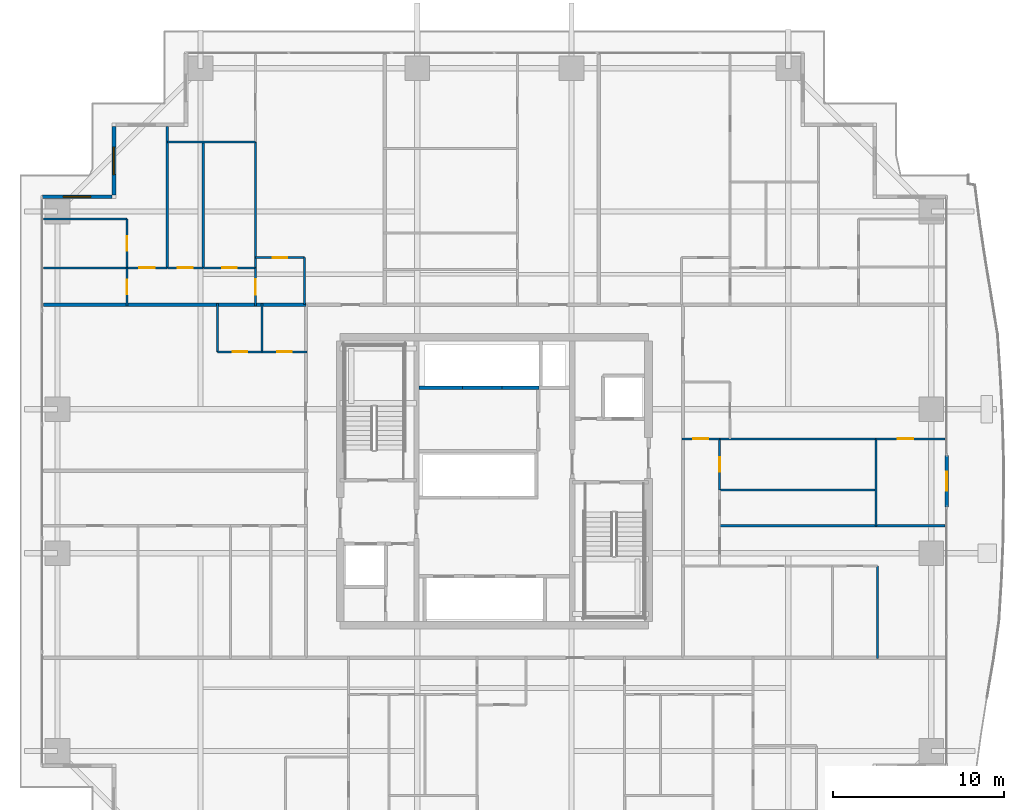
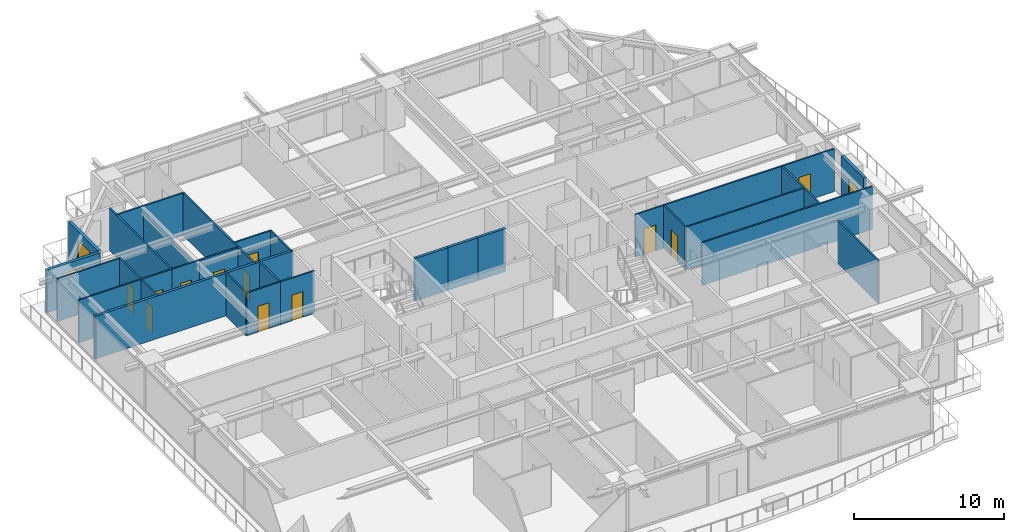
# One storey, part 30 of 39: 33 walls, 13 doors, 2 windows, 15 openings.
"""IFC4 building model written with IfcOpenShell, lengths in metres."""

from ifc_helpers import new_model, si_unit, direction, frame, frame_2d, origin, place, context, subcontext, project, spatial, rectangle, extrude, source, transform, mapped, material, layer, layer_set, type_object, element, fill, save


model = new_model("IFC4")

# Units and contexts
model_context = context("Model", 3, precision=1e-05, world=origin(), true_north=direction((0.0, 1.0)))
body_context = subcontext(model_context, "Body", "Model", "MODEL_VIEW")
ifc_project = project(units=[si_unit("LENGTHUNIT", "METRE"), si_unit("AREAUNIT", "SQUARE_METRE"), si_unit("VOLUMEUNIT", "CUBIC_METRE"), si_unit("PLANEANGLEUNIT", "RADIAN"), si_unit("MASSUNIT", "GRAM", prefix="KILO")], contexts=[model_context])

# Site, building, storey
site_placement = place(None, origin())
site = spatial("IfcSite", under=ifc_project, at=site_placement, CompositionType="ELEMENT")
building_placement = place(site_placement, origin())
building = spatial("IfcBuilding", under=site, at=building_placement, Name="Serunith Strait Residences", CompositionType="ELEMENT")
storey_placement = place(building_placement, frame((0.0, 0.0, 49.199951171875)))
storey = spatial("IfcBuildingStorey", under=building, at=storey_placement, Name="L11", CompositionType="ELEMENT", Elevation=49.199951171875)

# Wall, opening, door
ifc_material_1 = material(Name="Pale-Champagne Aluminium Insulated Panel", Category="aluminium")
ifc_layer_1 = layer(ifc_material_1, 0.219970703125, Name="Pale-Champagne Aluminium Insulated Panel")
ifc_layer_set_1 = layer_set([ifc_layer_1], Name="Pale-Champagne Aluminium Insulated Panel")
wall_type_1 = type_object("IfcWallType", Name="EW-ALUM-220", PredefinedType="ELEMENTEDWALL", material=ifc_layer_set_1)
wall_1_placement = place(storey_placement, frame((58.800048828125, 23.699951171875, 0.0), z_axis=(0.0, 0.0, 1.0), x_axis=(0.0, 1.0, 0.0)))
wall_1 = element("IfcWall", 1, at=wall_1_placement, inside=storey, type_object=wall_type_1, Name="L11 E Facade Pier Wall", PredefinedType="ELEMENTEDWALL", context=body_context, shape_type="SweptSolid", body=[
    extrude(rectangle(XDim=3.0, YDim=0.219970703125, at=frame_2d((1.5, 0.0))), origin(), (0.0, 0.0, 1.0), 3.47509765625),
])
opening_1_placement = place(wall_1_placement, frame((0.949951171875, 0.0, 0.0)))
opening_1 = element("IfcOpeningElement", 2, at=opening_1_placement, cuts=wall_1, Name="Opening ED-03", PredefinedType="OPENING", context=body_context, shape_type="SweptSolid", body=[
    extrude(rectangle(XDim=1.10009765625, YDim=2.199951171875, at=frame_2d((0.550048828125, 1.10009765625))), frame((0.0, 0.1201171875, 0.0), z_axis=(0.0, -1.0, 0.0), x_axis=(1.0, 0.0, 0.0)), (0.0, 0.0, 1.0), 0.239990234375),
])
ifc_material_2 = material(Name="Thermally-Broken Aluminium Glazed Balcony Door", Category="aluminium")
door_type_1 = type_object("IfcDoorType", Name="ED-BALC-1100", OperationType="NOTDEFINED", PredefinedType="DOOR", material=ifc_material_2)
shared_shape_1 = source(origin(), body_context, "Body", "SweptSolid", [
    extrude(rectangle(XDim=1.10009765625, YDim=2.199951171875, at=frame_2d((0.550048828125, 1.10009765625))), frame((0.0, 0.02490234375, 0.0), z_axis=(0.0, -1.0, 0.0), x_axis=(1.0, 0.0, 0.0)), (0.0, 0.0, 1.0), 0.050048828125),
])
door_1_placement = place(opening_1_placement, origin())
door_1 = element("IfcDoor", 3, at=door_1_placement, inside=storey, type_object=door_type_1, Name="L11 E Vertical-Forest Balcony Door", OperationType="SINGLE_SWING_RIGHT", OverallHeight=2.199951171875, OverallWidth=1.10009765625, PredefinedType="DOOR", context=body_context, shape_type="MappedRepresentation", body=[
    mapped(shared_shape_1, transform((0.0, 0.0, 0.0), scale=1.0)),
])
fill(opening_1, door_1)

# Wall, opening, window
wall_2_placement = place(storey_placement, frame((10.199951171875, 45.889892578125, 0.0), z_axis=(0.0, 0.0, 1.0), x_axis=(0.0, -1.0, 0.0)))
wall_2 = element("IfcWall", 4, at=wall_2_placement, inside=storey, type_object=wall_type_1, Name="L11 Girih Serrated Corner Wall 14", PredefinedType="ELEMENTEDWALL", context=body_context, shape_type="SweptSolid", body=[
    extrude(rectangle(XDim=3.97998046875, YDim=0.219970703125, at=frame_2d((1.989990234375, 0.0))), origin(), (0.0, 0.0, 1.0), 3.47509765625),
])
opening_2_placement = place(wall_2_placement, frame((1.18994140625, 0.0, 0.64990234375)))
opening_2 = element("IfcOpeningElement", 5, at=opening_2_placement, cuts=wall_2, Name="Opening W-02", PredefinedType="OPENING", context=body_context, shape_type="SweptSolid", body=[
    extrude(rectangle(XDim=1.60009765625, YDim=2.10009765625, at=frame_2d((0.800048828125, 1.050048828125))), frame((0.0, 0.1201171875, 0.0), z_axis=(0.0, -1.0, 0.0), x_axis=(1.0, 0.0, 0.0)), (0.0, 0.0, 1.0), 0.239990234375),
])
ifc_material_3 = material(Name="Ceramic-Fritted Operable Aluminium Window Glass", Category="aluminium")
window_type = type_object("IfcWindowType", Name="WIN-C2", PartitioningType="DOUBLE_PANEL_VERTICAL", PredefinedType="WINDOW", material=ifc_material_3)
shared_shape_2 = source(origin(), body_context, "Body", "SweptSolid", [
    extrude(rectangle(XDim=1.60009765625, YDim=2.10009765625, at=frame_2d((0.800048828125, 1.050048828125))), frame((0.0, 0.030029296875, 0.0), z_axis=(0.0, -1.0, 0.0), x_axis=(1.0, 0.0, 0.0)), (0.0, 0.0, 1.0), 0.06005859375),
])
window_1_placement = place(opening_2_placement, origin())
window_1 = element("IfcWindow", 6, at=window_1_placement, inside=storey, type_object=window_type, Name="L11 Corner Operable Fritted Window 14", OverallHeight=2.10009765625, OverallWidth=1.60009765625, PartitioningType="SINGLE_PANEL", PredefinedType="WINDOW", context=body_context, shape_type="MappedRepresentation", body=[
    mapped(shared_shape_2, transform((0.0, 0.0, 0.0), scale=1.0)),
])
fill(opening_2, window_1)

wall_3_placement = place(storey_placement, frame((10.090087890625, 41.800048828125, 0.0), z_axis=(0.0, 0.0, 1.0), x_axis=(-1.0, 0.0, 0.0)))
wall_3 = element("IfcWall", 7, at=wall_3_placement, inside=storey, type_object=wall_type_1, Name="L11 Girih Serrated Corner Wall 15", PredefinedType="ELEMENTEDWALL", context=body_context, shape_type="SweptSolid", body=[
    extrude(rectangle(XDim=4.090087890625, YDim=0.219970703125, at=frame_2d((2.044921875, 0.0))), origin(), (0.0, 0.0, 1.0), 3.47509765625),
])
opening_3_placement = place(wall_3_placement, frame((1.2451171875, 0.0, 0.64990234375)))
opening_3 = element("IfcOpeningElement", 8, at=opening_3_placement, cuts=wall_3, Name="Opening W-02", PredefinedType="OPENING", context=body_context, shape_type="SweptSolid", body=[
    extrude(rectangle(XDim=1.60009765625, YDim=2.10009765625, at=frame_2d((0.800048828125, 1.050048828125))), frame((0.0, 0.1201171875, 0.0), z_axis=(0.0, -1.0, 0.0), x_axis=(1.0, 0.0, 0.0)), (0.0, 0.0, 1.0), 0.239990234375),
])
window_2_placement = place(opening_3_placement, origin())
window_2 = element("IfcWindow", 9, at=window_2_placement, inside=storey, type_object=window_type, Name="L11 Corner Operable Fritted Window 15", OverallHeight=2.10009765625, OverallWidth=1.60009765625, PartitioningType="SINGLE_PANEL", PredefinedType="WINDOW", context=body_context, shape_type="MappedRepresentation", body=[
    mapped(shared_shape_2, transform((0.0, 0.0, 0.0), scale=1.0)),
])
fill(opening_3, window_2)

# Wall, opening, door
ifc_material_4 = material(Name="Lightweight steel-stud gypsum partition", Category="steel")
ifc_layer_2 = layer(ifc_material_4, 0.1201171875, Name="Lightweight steel-stud gypsum partition")
ifc_layer_set_2 = layer_set([ifc_layer_2], Name="Lightweight steel-stud gypsum partition")
wall_type_2 = type_object("IfcWallType", Name="IW-PART-120", PredefinedType="PARTITIONING", material=ifc_layer_set_2)
wall_4_placement = place(storey_placement, frame((18.4599609375, 38.25, 0.0), z_axis=(0.0, 0.0, 1.0), x_axis=(1.0, 0.0, 0.0)))
wall_4 = element("IfcWall", 10, at=wall_4_placement, inside=storey, type_object=wall_type_2, Name="L11 Partition Wall 057", PredefinedType="PARTITIONING", context=body_context, shape_type="SweptSolid", body=[
    extrude(rectangle(XDim=2.85009765625, YDim=0.1201171875, at=frame_2d((1.425048828125, 0.0))), origin(), (0.0, 0.0, 1.0), 3.489990234375),
])
opening_4_placement = place(wall_4_placement, frame((1.0, 0.0, 0.0)))
opening_4 = element("IfcOpeningElement", 11, at=opening_4_placement, cuts=wall_4, Name="Opening D-RM850", PredefinedType="OPENING", context=body_context, shape_type="SweptSolid", body=[
    extrude(rectangle(XDim=0.85009765625, YDim=2.10009765625, at=frame_2d((0.425048828125, 1.050048828125))), frame((0.0, 0.070068359375, 0.0), z_axis=(0.0, -1.0, 0.0), x_axis=(1.0, 0.0, 0.0)), (0.0, 0.0, 1.0), 0.14013671875),
])
ifc_material_5 = material(Name="Engineered timber flush study and kitchen door", Category="wood")
door_type_2 = type_object("IfcDoorType", Name="ID-ROOM-850", OperationType="NOTDEFINED", PredefinedType="DOOR", material=ifc_material_5)
shared_shape_3 = source(origin(), body_context, "Body", "SweptSolid", [
    extrude(rectangle(XDim=0.85009765625, YDim=2.10009765625, at=frame_2d((0.425048828125, 1.050048828125))), frame((0.0, 0.02490234375, 0.0), z_axis=(0.0, -1.0, 0.0), x_axis=(1.0, 0.0, 0.0)), (0.0, 0.0, 1.0), 0.050048828125),
])
door_2_placement = place(opening_4_placement, origin())
door_2 = element("IfcDoor", 12, at=door_2_placement, inside=storey, type_object=door_type_2, Name="L11 Kitchen 1102 Door", OperationType="SINGLE_SWING_RIGHT", OverallHeight=2.10009765625, OverallWidth=0.85009765625, PredefinedType="DOOR", context=body_context, shape_type="MappedRepresentation", body=[
    mapped(shared_shape_3, transform((0.0, 0.0, 0.0), scale=1.0)),
])
fill(opening_4, door_2)

# Wall
wall_5_placement = place(storey_placement, frame((21.31005859375, 38.25, 0.0), z_axis=(0.0, 0.0, 1.0), x_axis=(0.0, -1.0, 0.0)))
element("IfcWall", 13, at=wall_5_placement, inside=storey, type_object=wall_type_2, Name="L11 Partition Wall 058", PredefinedType="PARTITIONING", context=body_context, shape_type="SweptSolid", body=[
    extrude(rectangle(XDim=2.748046875, YDim=0.1201171875, at=frame_2d((1.3740234375, 0.0))), origin(), (0.0, 0.0, 1.0), 3.489990234375),
])

# Wall, opening, door
wall_6_placement = place(storey_placement, frame((18.4599609375, 37.64990234375, 0.0), z_axis=(0.0, 0.0, 1.0), x_axis=(0.0, -1.0, 0.0)))
wall_6 = element("IfcWall", 14, at=wall_6_placement, inside=storey, type_object=wall_type_2, Name="L11 Partition Wall 059", PredefinedType="PARTITIONING", context=body_context, shape_type="SweptSolid", body=[
    extrude(rectangle(XDim=2.2099609375, YDim=0.1201171875, at=frame_2d((1.10498046875, 0.0))), origin(), (0.0, 0.0, 1.0), 3.489990234375),
])
opening_5_placement = place(wall_6_placement, frame((0.655029296875, 0.0, 0.0)))
opening_5 = element("IfcOpeningElement", 15, at=opening_5_placement, cuts=wall_6, Name="Opening D-RM900", PredefinedType="OPENING", context=body_context, shape_type="SweptSolid", body=[
    extrude(rectangle(XDim=0.89990234375, YDim=2.10009765625, at=frame_2d((0.449951171875, 1.050048828125))), frame((0.0, 0.070068359375, 0.0), z_axis=(0.0, -1.0, 0.0), x_axis=(1.0, 0.0, 0.0)), (0.0, 0.0, 1.0), 0.14013671875),
])
ifc_material_6 = material(Name="Engineered timber flush bedroom door", Category="wood")
door_type_3 = type_object("IfcDoorType", Name="ID-ROOM-900", OperationType="NOTDEFINED", PredefinedType="DOOR", material=ifc_material_6)
shared_shape_4 = source(origin(), body_context, "Body", "SweptSolid", [
    extrude(rectangle(XDim=0.89990234375, YDim=2.10009765625, at=frame_2d((0.449951171875, 1.050048828125))), frame((0.0, 0.02490234375, 0.0), z_axis=(0.0, -1.0, 0.0), x_axis=(1.0, 0.0, 0.0)), (0.0, 0.0, 1.0), 0.050048828125),
])
door_3_placement = place(opening_5_placement, origin())
door_3 = element("IfcDoor", 16, at=door_3_placement, inside=storey, type_object=door_type_3, Name="L11 Hall W 1102 Door", OperationType="SINGLE_SWING_LEFT", OverallHeight=2.10009765625, OverallWidth=0.89990234375, PredefinedType="DOOR", context=body_context, shape_type="MappedRepresentation", body=[
    mapped(shared_shape_4, transform((0.0, 0.0, 0.0), scale=1.0)),
])
fill(opening_5, door_3)

# Walls
wall_7_placement = place(storey_placement, frame((18.4599609375, 44.987060546875, 0.0), z_axis=(0.0, 0.0, 1.0), x_axis=(0.0, -1.0, 0.0)))
element("IfcWall", 17, at=wall_7_placement, inside=storey, type_object=wall_type_2, Name="L11 Partition Wall 061", PredefinedType="PARTITIONING", context=body_context, shape_type="SweptSolid", body=[
    extrude(rectangle(XDim=7.3349609375, YDim=0.1201171875, at=frame_2d((3.66748046875, 0.0))), origin(), (0.0, 0.0, 1.0), 3.489990234375),
])
wall_8_placement = place(storey_placement, frame((13.31005859375, 44.989013671875, 0.0), z_axis=(0.0, 0.0, 1.0), x_axis=(1.0, 0.0, 0.0)))
element("IfcWall", 18, at=wall_8_placement, inside=storey, type_object=wall_type_2, Name="L11 Partition Wall 062", PredefinedType="PARTITIONING", context=body_context, shape_type="SweptSolid", body=[
    extrude(rectangle(XDim=5.14990234375, YDim=0.1201171875, at=frame_2d((2.574951171875, 0.0))), origin(), (0.0, 0.0, 1.0), 3.489990234375),
])
wall_9_placement = place(storey_placement, frame((13.31005859375, 45.905029296875, 0.0), z_axis=(0.0, 0.0, 1.0), x_axis=(0.0, -1.0, 0.0)))
element("IfcWall", 19, at=wall_9_placement, inside=storey, type_object=wall_type_2, Name="L11 Partition Wall 063", PredefinedType="PARTITIONING", context=body_context, shape_type="SweptSolid", body=[
    extrude(rectangle(XDim=8.255126953125, YDim=0.1201171875, at=frame_2d((4.12744140625, 0.0))), origin(), (0.0, 0.0, 1.0), 3.489990234375),
])
wall_10_placement = place(storey_placement, frame((15.409912109375, 44.989013671875, 0.0), z_axis=(0.0, 0.0, 1.0), x_axis=(0.0, -1.0, 0.0)))
element("IfcWall", 20, at=wall_10_placement, inside=storey, type_object=wall_type_2, Name="L11 Partition Wall 064", PredefinedType="PARTITIONING", context=body_context, shape_type="SweptSolid", body=[
    extrude(rectangle(XDim=7.339111328125, YDim=0.1201171875, at=frame_2d((3.66943359375, 0.0))), origin(), (0.0, 0.0, 1.0), 2.922119140625),
])

# Wall, opening, door
wall_11_placement = place(storey_placement, frame((13.31005859375, 37.64990234375, 0.0), z_axis=(0.0, 0.0, 1.0), x_axis=(1.0, 0.0, 0.0)))
wall_11 = element("IfcWall", 21, at=wall_11_placement, inside=storey, type_object=wall_type_2, Name="L11 Partition Wall 065", PredefinedType="PARTITIONING", context=body_context, shape_type="SweptSolid", body=[
    extrude(rectangle(XDim=2.099853515625, YDim=0.1201171875, at=frame_2d((1.0498046875, 0.0))), origin(), (0.0, 0.0, 1.0), 3.489990234375),
])
opening_6_placement = place(wall_11_placement, frame((0.625, 0.0, 0.0)))
opening_6 = element("IfcOpeningElement", 22, at=opening_6_placement, cuts=wall_11, Name="Opening D-BTH850", PredefinedType="OPENING", context=body_context, shape_type="SweptSolid", body=[
    extrude(rectangle(XDim=0.85009765625, YDim=2.10009765625, at=frame_2d((0.425048828125, 1.050048828125))), frame((0.0, 0.070068359375, 0.0), z_axis=(0.0, -1.0, 0.0), x_axis=(1.0, 0.0, 0.0)), (0.0, 0.0, 1.0), 0.14013671875),
])
ifc_material_7 = material(Name="Moisture-resistant timber bathroom door", Category="wood")
door_type_4 = type_object("IfcDoorType", Name="ID-BATH-850", OperationType="NOTDEFINED", PredefinedType="DOOR", material=ifc_material_7)
door_4_placement = place(opening_6_placement, origin())
door_4 = element("IfcDoor", 23, at=door_4_placement, inside=storey, type_object=door_type_4, Name="L11 Bathroom 1102 Door", OperationType="SINGLE_SWING_LEFT", OverallHeight=2.10009765625, OverallWidth=0.85009765625, PredefinedType="DOOR", context=body_context, shape_type="MappedRepresentation", body=[
    mapped(shared_shape_3, transform((0.0, 0.0, 0.0), scale=1.0)),
])
fill(opening_6, door_4)

wall_12_placement = place(storey_placement, frame((15.412109375, 37.64990234375, 0.0), z_axis=(0.0, 0.0, 1.0), x_axis=(1.0, 0.0, 0.0)))
wall_12 = element("IfcWall", 24, at=wall_12_placement, inside=storey, type_object=wall_type_2, Name="L11 Partition Wall 066", PredefinedType="PARTITIONING", context=body_context, shape_type="SweptSolid", body=[
    extrude(rectangle(XDim=3.0478515625, YDim=0.1201171875, at=frame_2d((1.52392578125, 0.0))), origin(), (0.0, 0.0, 1.0), 3.489990234375),
])
opening_7_placement = place(wall_12_placement, frame((1.09912109375, 0.0, 0.0)))
opening_7 = element("IfcOpeningElement", 25, at=opening_7_placement, cuts=wall_12, Name="Opening D-RM850", PredefinedType="OPENING", context=body_context, shape_type="SweptSolid", body=[
    extrude(rectangle(XDim=0.85009765625, YDim=2.10009765625, at=frame_2d((0.425048828125, 1.050048828125))), frame((0.0, 0.070068359375, 0.0), z_axis=(0.0, -1.0, 0.0), x_axis=(1.0, 0.0, 0.0)), (0.0, 0.0, 1.0), 0.14013671875),
])
door_5_placement = place(opening_7_placement, origin())
door_5 = element("IfcDoor", 26, at=door_5_placement, inside=storey, type_object=door_type_2, Name="L11 Study 1102 Door", OperationType="SINGLE_SWING_RIGHT", OverallHeight=2.10009765625, OverallWidth=0.85009765625, PredefinedType="DOOR", context=body_context, shape_type="MappedRepresentation", body=[
    mapped(shared_shape_3, transform((0.0, 0.0, 0.0), scale=1.0)),
])
fill(opening_7, door_5)

wall_13_placement = place(storey_placement, frame((10.9599609375, 37.64990234375, 0.0), z_axis=(0.0, 0.0, 1.0), x_axis=(1.0, 0.0, 0.0)))
wall_13 = element("IfcWall", 27, at=wall_13_placement, inside=storey, type_object=wall_type_2, Name="L11 Partition Wall 067", PredefinedType="PARTITIONING", context=body_context, shape_type="SweptSolid", body=[
    extrude(rectangle(XDim=2.34814453125, YDim=0.1201171875, at=frame_2d((1.174072265625, 0.0))), origin(), (0.0, 0.0, 1.0), 3.489990234375),
])
opening_8_placement = place(wall_13_placement, frame((0.72412109375, 0.0, 0.0)))
opening_8 = element("IfcOpeningElement", 28, at=opening_8_placement, cuts=wall_13, Name="Opening D-RM900", PredefinedType="OPENING", context=body_context, shape_type="SweptSolid", body=[
    extrude(rectangle(XDim=0.89990234375, YDim=2.10009765625, at=frame_2d((0.449951171875, 1.050048828125))), frame((0.0, 0.070068359375, 0.0), z_axis=(0.0, -1.0, 0.0), x_axis=(1.0, 0.0, 0.0)), (0.0, 0.0, 1.0), 0.14013671875),
])
door_6_placement = place(opening_8_placement, origin())
door_6 = element("IfcDoor", 29, at=door_6_placement, inside=storey, type_object=door_type_3, Name="L11 Master Bedroom W 1102 Door", OperationType="SINGLE_SWING_LEFT", OverallHeight=2.10009765625, OverallWidth=0.89990234375, PredefinedType="DOOR", context=body_context, shape_type="MappedRepresentation", body=[
    mapped(shared_shape_4, transform((0.0, 0.0, 0.0), scale=1.0)),
])
fill(opening_8, door_6)

# Walls
wall_14_placement = place(storey_placement, frame((6.094970703125, 40.506103515625, 0.0), z_axis=(0.0, 0.0, 1.0), x_axis=(1.0, 0.0, 0.0)))
element("IfcWall", 30, at=wall_14_placement, inside=storey, type_object=wall_type_2, Name="L11 Partition Wall 068", PredefinedType="PARTITIONING", context=body_context, shape_type="SweptSolid", body=[
    extrude(rectangle(XDim=4.864990234375, YDim=0.1201171875, at=frame_2d((2.4326171875, 0.0))), origin(), (0.0, 0.0, 1.0), 3.489990234375),
])
wall_15_placement = place(storey_placement, frame((6.094970703125, 37.64990234375, 0.0), z_axis=(0.0, 0.0, 1.0), x_axis=(1.0, 0.0, 0.0)))
element("IfcWall", 31, at=wall_15_placement, inside=storey, type_object=wall_type_2, Name="L11 Partition Wall 069", PredefinedType="PARTITIONING", context=body_context, shape_type="SweptSolid", body=[
    extrude(rectangle(XDim=4.863037109375, YDim=0.1201171875, at=frame_2d((2.431640625, 0.0))), origin(), (0.0, 0.0, 1.0), 3.489990234375),
])

# Wall, opening, door
wall_16_placement = place(storey_placement, frame((10.9599609375, 40.506103515625, 0.0), z_axis=(0.0, 0.0, 1.0), x_axis=(0.0, -1.0, 0.0)))
wall_16 = element("IfcWall", 32, at=wall_16_placement, inside=storey, type_object=wall_type_2, Name="L11 Partition Wall 070", PredefinedType="PARTITIONING", context=body_context, shape_type="SweptSolid", body=[
    extrude(rectangle(XDim=2.856201171875, YDim=0.1201171875, at=frame_2d((1.42822265625, 0.0))), origin(), (0.0, 0.0, 1.0), 3.489990234375),
])
opening_9_placement = place(wall_16_placement, frame((1.0029296875, 0.0, 0.0)))
opening_9 = element("IfcOpeningElement", 33, at=opening_9_placement, cuts=wall_16, Name="Opening D-BTH850", PredefinedType="OPENING", context=body_context, shape_type="SweptSolid", body=[
    extrude(rectangle(XDim=0.85009765625, YDim=2.10009765625, at=frame_2d((0.425048828125, 1.050048828125))), frame((0.0, 0.070068359375, 0.0), z_axis=(0.0, -1.0, 0.0), x_axis=(1.0, 0.0, 0.0)), (0.0, 0.0, 1.0), 0.14013671875),
])
door_7_placement = place(opening_9_placement, origin())
door_7 = element("IfcDoor", 34, at=door_7_placement, inside=storey, type_object=door_type_4, Name="L11 En-suite Bathroom W 1102 Door", OperationType="SINGLE_SWING_RIGHT", OverallHeight=2.10009765625, OverallWidth=0.85009765625, PredefinedType="DOOR", context=body_context, shape_type="MappedRepresentation", body=[
    mapped(shared_shape_3, transform((0.0, 0.0, 0.0), scale=1.0)),
])
fill(opening_9, door_7)

wall_17_placement = place(storey_placement, frame((10.9599609375, 37.64794921875, 0.0), z_axis=(0.0, 0.0, 1.0), x_axis=(0.0, -1.0, 0.0)))
wall_17 = element("IfcWall", 35, at=wall_17_placement, inside=storey, type_object=wall_type_2, Name="L11 Partition Wall 071", PredefinedType="PARTITIONING", context=body_context, shape_type="SweptSolid", body=[
    extrude(rectangle(XDim=2.2080078125, YDim=0.1201171875, at=frame_2d((1.10400390625, 0.0))), origin(), (0.0, 0.0, 1.0), 3.489990234375),
])
opening_10_placement = place(wall_17_placement, frame((0.678955078125, 0.0, 0.0)))
opening_10 = element("IfcOpeningElement", 36, at=opening_10_placement, cuts=wall_17, Name="Opening D-RM850", PredefinedType="OPENING", context=body_context, shape_type="SweptSolid", body=[
    extrude(rectangle(XDim=0.85009765625, YDim=2.10009765625, at=frame_2d((0.425048828125, 1.050048828125))), frame((0.0, 0.070068359375, 0.0), z_axis=(0.0, -1.0, 0.0), x_axis=(1.0, 0.0, 0.0)), (0.0, 0.0, 1.0), 0.14013671875),
])
door_8_placement = place(opening_10_placement, origin())
door_8 = element("IfcDoor", 37, at=door_8_placement, inside=storey, type_object=door_type_2, Name="L11 Wardrobe W 1102 Door", OperationType="SINGLE_SWING_LEFT", OverallHeight=2.10009765625, OverallWidth=0.85009765625, PredefinedType="DOOR", context=body_context, shape_type="MappedRepresentation", body=[
    mapped(shared_shape_3, transform((0.0, 0.0, 0.0), scale=1.0)),
])
fill(opening_10, door_8)

wall_18_placement = place(storey_placement, frame((16.25, 32.75, 0.0), z_axis=(0.0, 0.0, 1.0), x_axis=(1.0, 0.0, 0.0)))
wall_18 = element("IfcWall", 38, at=wall_18_placement, inside=storey, type_object=wall_type_2, Name="L11 Partition Wall 101", PredefinedType="PARTITIONING", context=body_context, shape_type="SweptSolid", body=[
    extrude(rectangle(XDim=2.60009765625, YDim=0.1201171875, at=frame_2d((1.300048828125, 0.0))), origin(), (0.0, 0.0, 1.0), 3.489990234375),
])
opening_11_placement = place(wall_18_placement, frame((0.875, 0.0, 0.0)))
opening_11 = element("IfcOpeningElement", 39, at=opening_11_placement, cuts=wall_18, Name="Opening D-RM850", PredefinedType="OPENING", context=body_context, shape_type="SweptSolid", body=[
    extrude(rectangle(XDim=0.85009765625, YDim=2.10009765625, at=frame_2d((0.425048828125, 1.050048828125))), frame((0.0, 0.070068359375, 0.0), z_axis=(0.0, -1.0, 0.0), x_axis=(1.0, 0.0, 0.0)), (0.0, 0.0, 1.0), 0.14013671875),
])
door_9_placement = place(opening_11_placement, origin())
door_9 = element("IfcDoor", 40, at=door_9_placement, inside=storey, type_object=door_type_2, Name="L11 Kitchen 1106 Door", OperationType="SINGLE_SWING_RIGHT", OverallHeight=2.10009765625, OverallWidth=0.85009765625, PredefinedType="DOOR", context=body_context, shape_type="MappedRepresentation", body=[
    mapped(shared_shape_3, transform((0.0, 0.0, 0.0), scale=1.0)),
])
fill(opening_11, door_9)

wall_19_placement = place(storey_placement, frame((18.85205078125, 32.75, 0.0), z_axis=(0.0, 0.0, 1.0), x_axis=(1.0, 0.0, 0.0)))
wall_19 = element("IfcWall", 41, at=wall_19_placement, inside=storey, type_object=wall_type_2, Name="L11 Partition Wall 102", PredefinedType="PARTITIONING", context=body_context, shape_type="SweptSolid", body=[
    extrude(rectangle(XDim=2.60791015625, YDim=0.1201171875, at=frame_2d((1.303955078125, 0.0))), origin(), (0.0, 0.0, 1.0), 3.489990234375),
])
opening_12_placement = place(wall_19_placement, frame((0.87890625, 0.0, 0.0)))
opening_12 = element("IfcOpeningElement", 42, at=opening_12_placement, cuts=wall_19, Name="Opening D-BTH850", PredefinedType="OPENING", context=body_context, shape_type="SweptSolid", body=[
    extrude(rectangle(XDim=0.85009765625, YDim=2.10009765625, at=frame_2d((0.425048828125, 1.050048828125))), frame((0.0, 0.070068359375, 0.0), z_axis=(0.0, -1.0, 0.0), x_axis=(1.0, 0.0, 0.0)), (0.0, 0.0, 1.0), 0.14013671875),
])
door_10_placement = place(opening_12_placement, origin())
door_10 = element("IfcDoor", 43, at=door_10_placement, inside=storey, type_object=door_type_4, Name="L11 Bathroom 1106 Door", OperationType="SINGLE_SWING_LEFT", OverallHeight=2.10009765625, OverallWidth=0.85009765625, PredefinedType="DOOR", context=body_context, shape_type="MappedRepresentation", body=[
    mapped(shared_shape_3, transform((0.0, 0.0, 0.0), scale=1.0)),
])
fill(opening_12, door_10)

# Walls
for number, where, z_axis, x_axis, name in (
    (44, (18.85009765625, 32.75, 0.0), (0.0, 0.0, 1.0), (0.0, 1.0, 0.0), "L11 Partition Wall 103"),
    (45, (16.25, 32.75, 0.0), (0.0, 0.0, 1.0), (0.0, 1.0, 0.0), "L11 Partition Wall 104"),
):
    element("IfcWall", number, at=place(storey_placement, frame(where, z_axis=z_axis, x_axis=x_axis)), inside=storey, type_object=wall_type_2, Name=name, PredefinedType="PARTITIONING", context=body_context, shape_type="SweptSolid", body=[
        extrude(rectangle(XDim=2.81005859375, YDim=0.1201171875, at=frame_2d((1.405029296875, 0.0))), origin(), (0.0, 0.0, 1.0), 3.489990234375),
    ])

# Wall, opening, door
wall_20_placement = place(storey_placement, frame((45.550048828125, 27.669921875, 0.0), z_axis=(0.0, 0.0, 1.0), x_axis=(-1.0, 0.0, 0.0)))
wall_20 = element("IfcWall", 46, at=wall_20_placement, inside=storey, type_object=wall_type_2, Name="L11 Partition Wall 107", PredefinedType="PARTITIONING", context=body_context, shape_type="SweptSolid", body=[
    extrude(rectangle(XDim=2.2099609375, YDim=0.1201171875, at=frame_2d((1.10498046875, 0.0))), origin(), (0.0, 0.0, 1.0), 3.489990234375),
])
opening_13_placement = place(wall_20_placement, frame((0.655029296875, 0.0, 0.0)))
opening_13 = element("IfcOpeningElement", 47, at=opening_13_placement, cuts=wall_20, Name="Opening D-RM900", PredefinedType="OPENING", context=body_context, shape_type="SweptSolid", body=[
    extrude(rectangle(XDim=0.89990234375, YDim=2.10009765625, at=frame_2d((0.449951171875, 1.050048828125))), frame((0.0, 0.070068359375, 0.0), z_axis=(0.0, -1.0, 0.0), x_axis=(1.0, 0.0, 0.0)), (0.0, 0.0, 1.0), 0.14013671875),
])
door_11_placement = place(opening_13_placement, origin())
door_11 = element("IfcDoor", 48, at=door_11_placement, inside=storey, type_object=door_type_3, Name="L11 Hall W 1107 Door", OperationType="SINGLE_SWING_LEFT", OverallHeight=2.10009765625, OverallWidth=0.89990234375, PredefinedType="DOOR", context=body_context, shape_type="MappedRepresentation", body=[
    mapped(shared_shape_4, transform((0.0, 0.0, 0.0), scale=1.0)),
])
fill(opening_13, door_11)

wall_21_placement = place(storey_placement, frame((58.705078125, 27.669921875, 0.0), z_axis=(0.0, 0.0, 1.0), x_axis=(-1.0, 0.0, 0.0)))
wall_21 = element("IfcWall", 49, at=wall_21_placement, inside=storey, type_object=wall_type_2, Name="L11 Partition Wall 108", PredefinedType="PARTITIONING", context=body_context, shape_type="SweptSolid", body=[
    extrude(rectangle(XDim=4.024169921875, YDim=0.1201171875, at=frame_2d((2.01220703125, 0.0))), origin(), (0.0, 0.0, 1.0), 3.489990234375),
])
opening_14_placement = place(wall_21_placement, frame((1.85791015625, 0.0, 0.0)))
opening_14 = element("IfcOpeningElement", 50, at=opening_14_placement, cuts=wall_21, Name="Opening D-RM900", PredefinedType="OPENING", context=body_context, shape_type="SweptSolid", body=[
    extrude(rectangle(XDim=0.89990234375, YDim=2.10009765625, at=frame_2d((0.449951171875, 1.050048828125))), frame((0.0, 0.070068359375, 0.0), z_axis=(0.0, -1.0, 0.0), x_axis=(1.0, 0.0, 0.0)), (0.0, 0.0, 1.0), 0.14013671875),
])
door_12_placement = place(opening_14_placement, origin())
door_12 = element("IfcDoor", 51, at=door_12_placement, inside=storey, type_object=door_type_3, Name="L11 Study 1 1107 Door", OperationType="SINGLE_SWING_RIGHT", OverallHeight=2.10009765625, OverallWidth=0.89990234375, PredefinedType="DOOR", context=body_context, shape_type="MappedRepresentation", body=[
    mapped(shared_shape_4, transform((0.0, 0.0, 0.0), scale=1.0)),
])
fill(opening_14, door_12)

# Walls
wall_22_placement = place(storey_placement, frame((54.678955078125, 27.669921875, 0.0), z_axis=(0.0, 0.0, 1.0), x_axis=(-1.0, 0.0, 0.0)))
element("IfcWall", 52, at=wall_22_placement, inside=storey, type_object=wall_type_2, Name="L11 Partition Wall 109", PredefinedType="PARTITIONING", context=body_context, shape_type="SweptSolid", body=[
    extrude(rectangle(XDim=9.126953125, YDim=0.1201171875, at=frame_2d((4.5634765625, 0.0))), origin(), (0.0, 0.0, 1.0), 3.489990234375),
])
wall_23_placement = place(storey_placement, frame((54.680908203125, 22.60009765625, 0.0), z_axis=(0.0, 0.0, 1.0), x_axis=(0.0, 1.0, 0.0)))
element("IfcWall", 53, at=wall_23_placement, inside=storey, type_object=wall_type_2, Name="L11 Partition Wall 110", PredefinedType="PARTITIONING", context=body_context, shape_type="SweptSolid", body=[
    extrude(rectangle(XDim=5.06982421875, YDim=0.1201171875, at=frame_2d((2.534912109375, 0.0))), origin(), (0.0, 0.0, 1.0), 3.489990234375),
])
wall_24_placement = place(storey_placement, frame((58.705078125, 22.60009765625, 0.0), z_axis=(0.0, 0.0, 1.0), x_axis=(-1.0, 0.0, 0.0)))
element("IfcWall", 54, at=wall_24_placement, inside=storey, type_object=wall_type_2, Name="L11 Partition Wall 111", PredefinedType="PARTITIONING", context=body_context, shape_type="SweptSolid", body=[
    extrude(rectangle(XDim=13.155029296875, YDim=0.1201171875, at=frame_2d((6.57763671875, 0.0))), origin(), (0.0, 0.0, 1.0), 3.489990234375),
])
wall_25_placement = place(storey_placement, frame((54.680908203125, 24.699951171875, 0.0), z_axis=(0.0, 0.0, 1.0), x_axis=(-1.0, 0.0, 0.0)))
element("IfcWall", 55, at=wall_25_placement, inside=storey, type_object=wall_type_2, Name="L11 Partition Wall 112", PredefinedType="PARTITIONING", context=body_context, shape_type="SweptSolid", body=[
    extrude(rectangle(XDim=9.130859375, YDim=0.1201171875, at=frame_2d((4.5654296875, 0.0))), origin(), (0.0, 0.0, 1.0), 3.489990234375),
])

# Wall, opening, door
wall_26_placement = place(storey_placement, frame((45.550048828125, 24.701904296875, 0.0), z_axis=(0.0, 0.0, 1.0), x_axis=(0.0, 1.0, 0.0)))
wall_26 = element("IfcWall", 56, at=wall_26_placement, inside=storey, type_object=wall_type_2, Name="L11 Partition Wall 114", PredefinedType="PARTITIONING", context=body_context, shape_type="SweptSolid", body=[
    extrude(rectangle(XDim=2.968017578125, YDim=0.1201171875, at=frame_2d((1.48388671875, 0.0))), origin(), (0.0, 0.0, 1.0), 3.489990234375),
])
opening_15_placement = place(wall_26_placement, frame((1.05908203125, 0.0, 0.0)))
opening_15 = element("IfcOpeningElement", 57, at=opening_15_placement, cuts=wall_26, Name="Opening D-RM850", PredefinedType="OPENING", context=body_context, shape_type="SweptSolid", body=[
    extrude(rectangle(XDim=0.85009765625, YDim=2.10009765625, at=frame_2d((0.425048828125, 1.050048828125))), frame((0.0, 0.070068359375, 0.0), z_axis=(0.0, -1.0, 0.0), x_axis=(1.0, 0.0, 0.0)), (0.0, 0.0, 1.0), 0.14013671875),
])
door_13_placement = place(opening_15_placement, origin())
door_13 = element("IfcDoor", 58, at=door_13_placement, inside=storey, type_object=door_type_2, Name="L11 Study 1107 Door", OperationType="SINGLE_SWING_RIGHT", OverallHeight=2.10009765625, OverallWidth=0.85009765625, PredefinedType="DOOR", context=body_context, shape_type="MappedRepresentation", body=[
    mapped(shared_shape_3, transform((0.0, 0.0, 0.0), scale=1.0)),
])
fill(opening_15, door_13)

# Walls
wall_27_placement = place(storey_placement, frame((54.75, 14.840087890625, 0.0), z_axis=(0.0, 0.0, 1.0), x_axis=(0.0, 1.0, 0.0)))
element("IfcWall", 59, at=wall_27_placement, inside=storey, type_object=wall_type_2, Name="L11 Partition Wall 116", PredefinedType="PARTITIONING", context=body_context, shape_type="SweptSolid", body=[
    extrude(rectangle(XDim=5.409912109375, YDim=0.1201171875, at=frame_2d((2.705078125, 0.0))), origin(), (0.0, 0.0, 1.0), 3.489990234375),
])
ifc_material_8 = material(Name="Twin-stud acoustic gypsum board partition")
ifc_layer_3 = layer(ifc_material_8, 0.199951171875, Name="Twin-stud acoustic gypsum board partition")
ifc_layer_set_3 = layer_set([ifc_layer_3], Name="Twin-stud acoustic gypsum board partition")
wall_type_3 = type_object("IfcWallType", Name="IW-PARTY-200", PredefinedType="PARTITIONING", material=ifc_layer_set_3)
wall_28_placement = place(storey_placement, frame((6.08203125, 35.5, 0.0), z_axis=(0.0, 0.0, 1.0), x_axis=(1.0, 0.0, 0.0)))
element("IfcWall", 60, at=wall_28_placement, inside=storey, type_object=wall_type_3, Name="L11 Partition Wall 019", PredefinedType="PARTITIONING", context=body_context, shape_type="SweptSolid", body=[
    extrude(rectangle(XDim=15.31787109375, YDim=0.199951171875, at=frame_2d((7.658935546875, 0.0))), origin(), (0.0, 0.0, 1.0), 3.489990234375),
])
ifc_material_9 = material(Name="Autoclaved aerated concrete blockwork", Category="masonry")
ifc_layer_4 = layer(ifc_material_9, 0.199951171875, Name="Autoclaved aerated concrete blockwork")
ifc_layer_set_4 = layer_set([ifc_layer_4], Name="Autoclaved aerated concrete blockwork")
wall_type_4 = type_object("IfcWallType", Name="IW-SHAFT-200", PredefinedType="STANDARD", material=ifc_layer_set_4)
wall_29_placement = place(storey_placement, frame((28.0, 30.64990234375, 0.0), z_axis=(0.0, 0.0, 1.0), x_axis=(1.0, 0.0, 0.0)))
element("IfcWall", 61, at=wall_29_placement, inside=storey, type_object=wall_type_4, Name="L11 PL-7 South Shaft Wall", PredefinedType="STANDARD", context=body_context, shape_type="SweptSolid", body=[
    extrude(rectangle(XDim=2.550048828125, YDim=0.199951171875, at=frame_2d((1.27490234375, 0.0))), origin(), (0.0, 0.0, 1.0), 3.489990234375),
])
wall_30_placement = place(storey_placement, frame((30.550048828125, 30.64990234375, 0.0), z_axis=(0.0, 0.0, 1.0), x_axis=(1.0, 0.0, 0.0)))
element("IfcWall", 62, at=wall_30_placement, inside=storey, type_object=wall_type_4, Name="L11 PL-8 South Shaft Wall", PredefinedType="STANDARD", context=body_context, shape_type="SweptSolid", body=[
    extrude(rectangle(XDim=2.300048828125, YDim=0.199951171875, at=frame_2d((1.14990234375, 0.0))), origin(), (0.0, 0.0, 1.0), 3.489990234375),
])
wall_31_placement = place(storey_placement, frame((32.85009765625, 30.64990234375, 0.0), z_axis=(0.0, 0.0, 1.0), x_axis=(1.0, 0.0, 0.0)))
element("IfcWall", 63, at=wall_31_placement, inside=storey, type_object=wall_type_4, Name="L11 PL-9 South Shaft Wall", PredefinedType="STANDARD", context=body_context, shape_type="SweptSolid", body=[
    extrude(rectangle(XDim=2.14990234375, YDim=0.199951171875, at=frame_2d((1.074951171875, 0.0))), origin(), (0.0, 0.0, 1.0), 3.489990234375),
])

save(model, "model.ifc")
